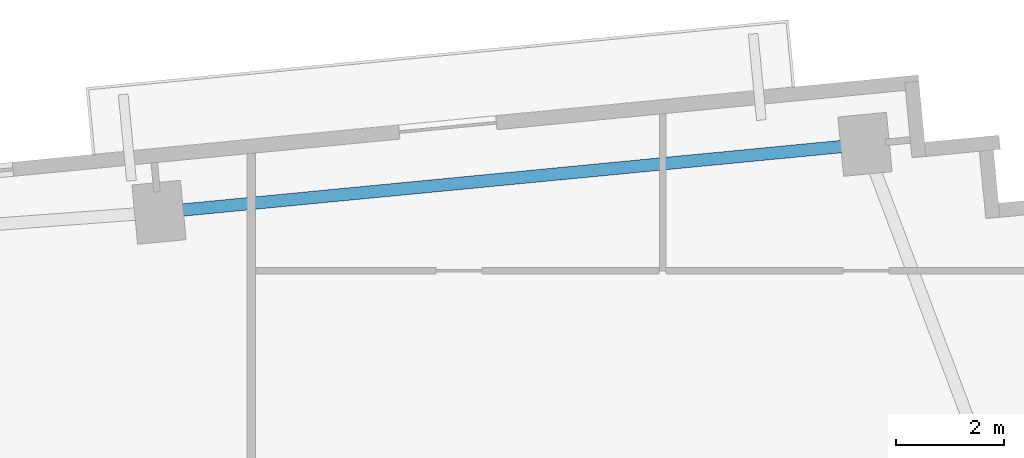
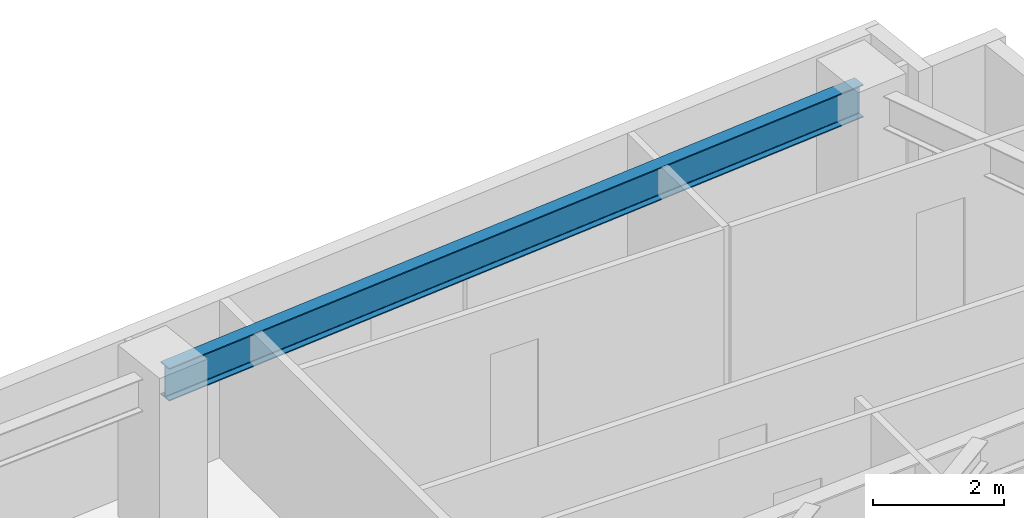
# One storey, part 18 of 27: 1 beam.
"""IFC4 building model written with IfcOpenShell, lengths in metres."""

from ifc_helpers import new_model, si_unit, direction, frame, origin, origin_2d, place, context, subcontext, project, spatial, i_section, extrude, source, transform, mapped, material, material_profile, profile_set, type_object, type_shapes, element, save


model = new_model("IFC4")

# Units and contexts
model_context = context("Model", 3, precision=1e-05, world=origin(), true_north=direction((0.0, 1.0)))
body_context = subcontext(model_context, "Body", "Model", "MODEL_VIEW")
ifc_project = project(units=[si_unit("LENGTHUNIT", "METRE"), si_unit("AREAUNIT", "SQUARE_METRE"), si_unit("VOLUMEUNIT", "CUBIC_METRE"), si_unit("PLANEANGLEUNIT", "RADIAN"), si_unit("MASSUNIT", "GRAM", prefix="KILO")], contexts=[model_context])

# Site, building, storey
site_placement = place(None, origin())
site = spatial("IfcSite", under=ifc_project, at=site_placement, CompositionType="ELEMENT")
building_placement = place(site_placement, origin())
building = spatial("IfcBuilding", under=site, at=building_placement, Name="Astriad Promenade Condominiums", CompositionType="ELEMENT")
storey_placement = place(building_placement, frame((0.0, 0.0, 87.39990234375)))
storey = spatial("IfcBuildingStorey", under=building, at=storey_placement, Name="L24", CompositionType="ELEMENT", Elevation=87.39990234375)

# Beam
ifc_material = material(Name="Steel ASTM A992 Grade 50", Category="steel")
ifc_material_profile = material_profile(ifc_material, i_section(OverallWidth=0.22900390625, OverallDepth=0.612060546875, WebThickness=0.011962890625, FlangeThickness=0.01953125, FilletRadius=0.017822265625, at=origin_2d()), Name="W24X84")
ifc_profile_set = profile_set([ifc_material_profile], Name="Steel ASTM A992 Grade 50")
beam_type = type_object("IfcBeamType", Name="STEEL SPANDREL BEAM W24X84", PredefinedType="SPANDREL", material=ifc_profile_set)
shared_shape = source(origin(), body_context, "Body", "SweptSolid", [
    extrude(i_section(OverallWidth=0.22900390625, OverallDepth=0.612060546875, WebThickness=0.011962890625, FlangeThickness=0.01953125, FilletRadius=0.017822265625, at=origin_2d()), origin(), (0.0, 0.0, 1.0), 13.020263671875),
])
type_shapes(beam_type, [shared_shape])
beam_placement = place(storey_placement, frame((64.394287109375, 27.5869140625, 2.634033203125), z_axis=(-0.995395311238, -0.095854965264, 0.0), x_axis=(0.095854965264, -0.995395311238, 0.0)))
element("IfcBeam", 1, at=beam_placement, inside=storey, type_object=beam_type, Name="Perimeter Spandrel Beam SP-N4-L24", PredefinedType="SPANDREL", context=body_context, shape_type="MappedRepresentation", body=[
    mapped(shared_shape, transform((0.0, 0.0, 0.0), scale=1.0)),
])

save(model, "model.ifc")
